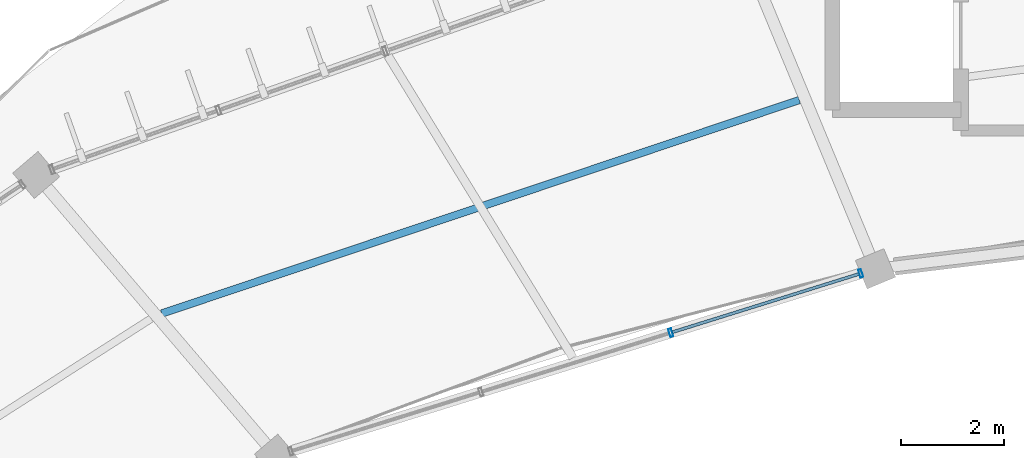
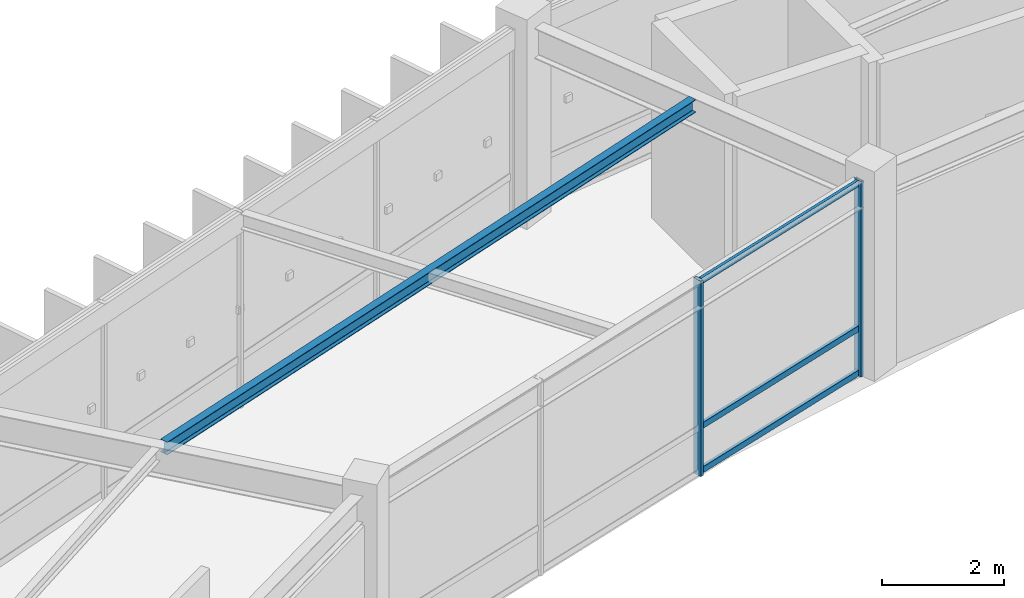
# One storey, part 57 of 114: 5 members, 1 beam, 1 element without a shape of its own.
"""IFC4 building model written with IfcOpenShell, lengths in metres."""

from ifc_helpers import new_model, si_unit, direction, frame, origin, origin_2d, place, context, subcontext, project, spatial, hollow_rectangle, i_section, extrude, material, material_profile, profile_set, type_object, element, aggregate, save


model = new_model("IFC4")

# Units and contexts
model_context = context("Model", 3, precision=1e-05, world=origin(), true_north=direction((0.0, 1.0)))
body_context = subcontext(model_context, "Body", "Model", "MODEL_VIEW")
ifc_project = project(units=[si_unit("LENGTHUNIT", "METRE"), si_unit("AREAUNIT", "SQUARE_METRE"), si_unit("VOLUMEUNIT", "CUBIC_METRE"), si_unit("PLANEANGLEUNIT", "RADIAN"), si_unit("MASSUNIT", "GRAM", prefix="KILO"), si_unit("THERMODYNAMICTEMPERATUREUNIT", "KELVIN"), si_unit("POWERUNIT", "WATT")], contexts=[model_context])

# Site, building, storey
site_placement = place(None, origin())
site = spatial("IfcSite", under=ifc_project, at=site_placement, CompositionType="ELEMENT")
building_placement = place(site_placement, origin())
building = spatial("IfcBuilding", under=site, at=building_placement, Name="Darbajah Civic Hall", CompositionType="ELEMENT")
storey_placement = place(building_placement, frame((0.0, 0.0, 13.800048828125)))
storey = spatial("IfcBuildingStorey", under=building, at=storey_placement, Name="L03", CompositionType="ELEMENT", Elevation=13.800048828125)

# Curtain wall, members
ifc_material_1 = material(Name="Anodised Bronze Aluminium and Low-E Glazing", Category="aluminium")
curtain_wall_type = type_object("IfcCurtainWallType", Name="Unitised Curtain Wall CW-43 11600x3900", PredefinedType="USERDEFINED", material=ifc_material_1)
curtain_wall_placement = place(storey_placement, origin())
curtain_wall = element("IfcCurtainWall", 1, at=curtain_wall_placement, inside=storey, type_object=curtain_wall_type, Name="L03 unitised curtain wall CW-V1I-L03-06", ObjectType="UNITISED CURTAIN WALL", PredefinedType="USERDEFINED")
ifc_material_2 = material(Name="Anodised Bronze Aluminium", Category="aluminium")
ifc_material_profile_1 = material_profile(ifc_material_2, hollow_rectangle(XDim=0.06005859375, YDim=0.159912109375, WallThickness=0.00341796875, at=origin_2d()), Name="ALU MULLION 60x160")
ifc_profile_set_1 = profile_set([ifc_material_profile_1], Name="Anodised Bronze Aluminium")
member_type_1 = type_object("IfcMemberType", Name="ALU MULLION 60x160", PredefinedType="MULLION", material=ifc_profile_set_1)
member_1_placement = place(storey_placement, frame((72.05029296875, 110.3125, 0.0), z_axis=(0.0, 0.0, 1.0), x_axis=(-0.954604963513, -0.297874744877, 0.0)))
member_1 = element("IfcMember", 2, at=member_1_placement, type_object=member_type_1, Name="CW-V1I-L03-06 mullion 1", PredefinedType="MULLION", context=body_context, shape_type="SweptSolid", body=[
    extrude(hollow_rectangle(XDim=0.06005859375, YDim=0.159912109375, WallThickness=0.00341796875, at=origin_2d()), origin(), (0.0, 0.0, 1.0), 3.919921875),
])
member_2_placement = place(storey_placement, frame((68.34765625, 109.157470703125, 0.0), z_axis=(0.0, 0.0, 1.0), x_axis=(-0.954604963513, -0.297874744877, 0.0)))
member_2 = element("IfcMember", 3, at=member_2_placement, type_object=member_type_1, Name="CW-V1I-L03-06 mullion 2", PredefinedType="MULLION", context=body_context, shape_type="SweptSolid", body=[
    extrude(hollow_rectangle(XDim=0.06005859375, YDim=0.159912109375, WallThickness=0.00341796875, at=origin_2d()), origin(), (0.0, 0.0, 1.0), 3.919921875),
])
ifc_material_profile_2 = material_profile(ifc_material_2, hollow_rectangle(XDim=0.06005859375, YDim=0.1201171875, WallThickness=0.003173828125, at=origin_2d()), Name="ALU TRANSOM 60x120")
ifc_profile_set_2 = profile_set([ifc_material_profile_2], Name="Anodised Bronze Aluminium")
member_type_2 = type_object("IfcMemberType", Name="ALU TRANSOM 60x120", PredefinedType="USERDEFINED", material=ifc_profile_set_2)
member_3_placement = place(storey_placement, frame((72.016845703125, 110.30224609375, 0.06005859375), z_axis=(-0.954603081471, -0.297880776228, 0.0), x_axis=(0.297880776228, -0.954603081471, 0.0)))
member_3 = element("IfcMember", 4, at=member_3_placement, type_object=member_type_2, Name="CW-V1I-L03-06 transom 1.1", ObjectType="TRANSOM", PredefinedType="USERDEFINED", context=body_context, shape_type="SweptSolid", body=[
    extrude(hollow_rectangle(XDim=0.06005859375, YDim=0.1201171875, WallThickness=0.003173828125, at=origin_2d()), origin(), (0.0, 0.0, 1.0), 3.80859375),
])
member_4_placement = place(storey_placement, frame((72.016845703125, 110.30224609375, 0.949951171875), z_axis=(-0.954603081471, -0.297880776228, 0.0), x_axis=(0.297880776228, -0.954603081471, 0.0)))
member_4 = element("IfcMember", 5, at=member_4_placement, type_object=member_type_2, Name="CW-V1I-L03-06 transom 1.2", ObjectType="TRANSOM", PredefinedType="USERDEFINED", context=body_context, shape_type="SweptSolid", body=[
    extrude(hollow_rectangle(XDim=0.06005859375, YDim=0.1201171875, WallThickness=0.003173828125, at=origin_2d()), origin(), (0.0, 0.0, 1.0), 3.80859375),
])
member_5_placement = place(storey_placement, frame((72.016845703125, 110.30224609375, 3.85986328125), z_axis=(-0.954603081471, -0.297880776228, 0.0), x_axis=(0.297880776228, -0.954603081471, 0.0)))
member_5 = element("IfcMember", 6, at=member_5_placement, type_object=member_type_2, Name="CW-V1I-L03-06 transom 1.3", ObjectType="TRANSOM", PredefinedType="USERDEFINED", context=body_context, shape_type="SweptSolid", body=[
    extrude(hollow_rectangle(XDim=0.06005859375, YDim=0.1201171875, WallThickness=0.003173828125, at=origin_2d()), origin(), (0.0, 0.0, 1.0), 3.80859375),
])
aggregate(curtain_wall, [member_1, member_2, member_3, member_4, member_5])

# Beam
ifc_material_3 = material(Name="Steel S355JR", Category="steel")
ifc_material_profile_3 = material_profile(ifc_material_3, i_section(OverallWidth=0.146484375, OverallDepth=0.256103515625, WebThickness=0.00634765625, FlangeThickness=0.010986328125, FilletRadius=0.007568359375, at=origin_2d()), Name="UB 254x146x37")
ifc_profile_set_3 = profile_set([ifc_material_profile_3], Name="Steel S355JR")
beam_type = type_object("IfcBeamType", Name="UB 254x146x37", PredefinedType="JOIST", material=ifc_profile_set_3)
beam_placement = place(storey_placement, frame((70.850830078125, 113.691650390625, 3.7919921875), z_axis=(-0.948257615403, -0.317501960357, 0.0), x_axis=(0.317501960357, -0.948257615403, 0.0)))
element("IfcBeam", 7, at=beam_placement, inside=storey, type_object=beam_type, Name="L03 beam SJ-254", PredefinedType="JOIST", context=body_context, shape_type="SweptSolid", body=[
    extrude(i_section(OverallWidth=0.146484375, OverallDepth=0.256103515625, WebThickness=0.00634765625, FlangeThickness=0.010986328125, FilletRadius=0.007568359375, at=origin_2d()), origin(), (0.0, 0.0, 1.0), 13.102783203125),
])

save(model, "model.ifc")
